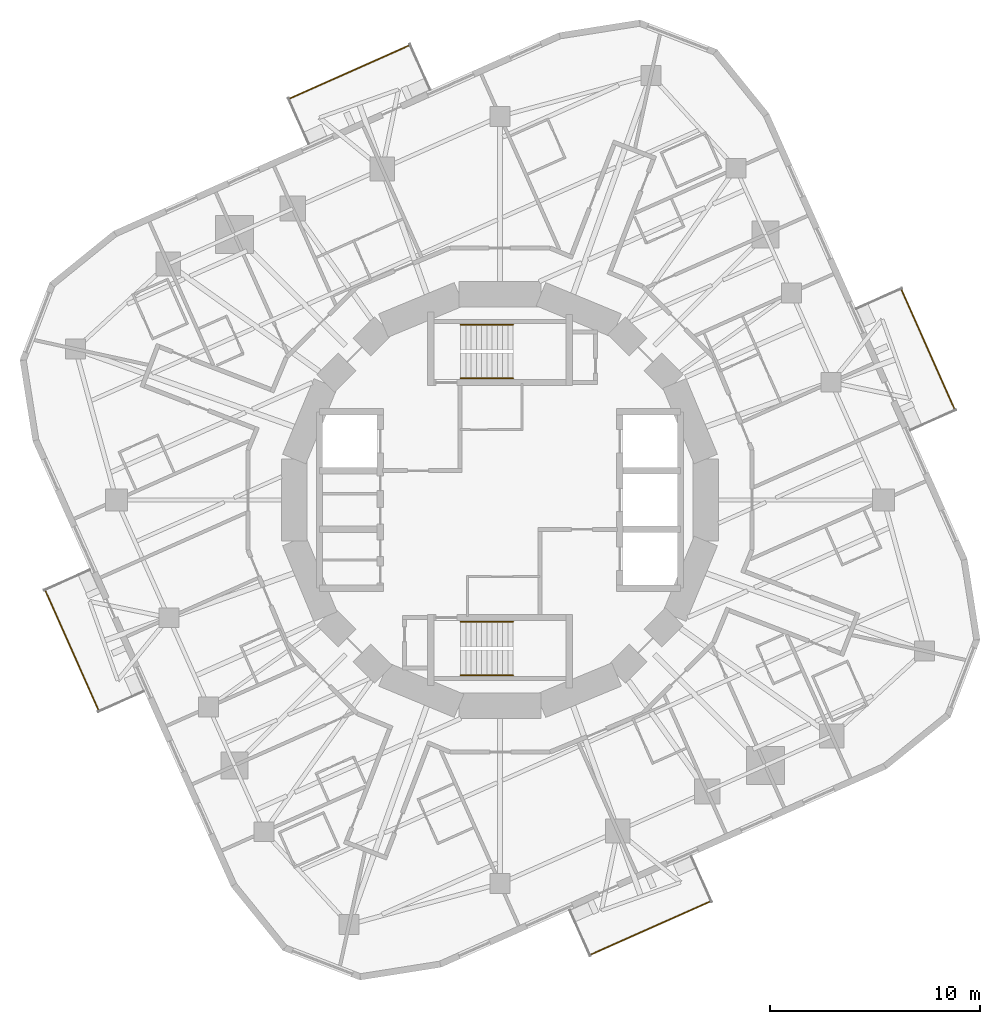
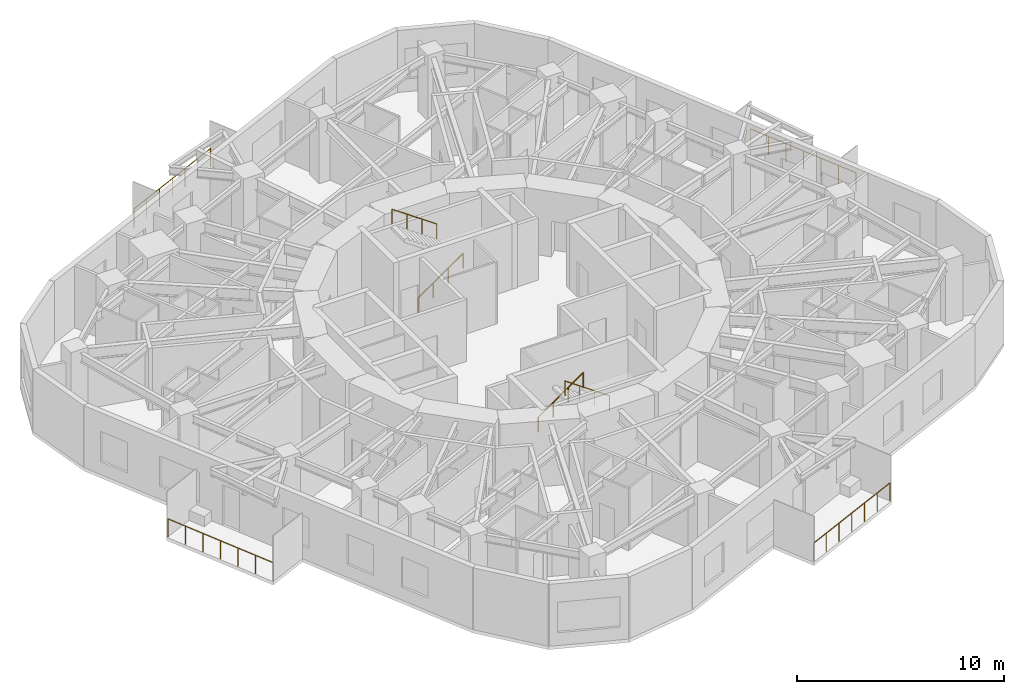
# One storey, part 11 of 12: 8 railings.
"""IFC4 building model written with IfcOpenShell, lengths in metres."""

from ifc_helpers import new_model, si_unit, direction, frame, origin, origin_2d, place, context, subcontext, project, spatial, circle, extrude, material, type_object, element, save


model = new_model("IFC4")

# Units and contexts
model_context = context("Model", 3, precision=1e-05, world=origin(), true_north=direction((0.0, 1.0)))
body_context = subcontext(model_context, "Body", "Model", "MODEL_VIEW")
ifc_project = project(units=[si_unit("LENGTHUNIT", "METRE"), si_unit("AREAUNIT", "SQUARE_METRE"), si_unit("VOLUMEUNIT", "CUBIC_METRE"), si_unit("PLANEANGLEUNIT", "RADIAN"), si_unit("MASSUNIT", "GRAM", prefix="KILO")], contexts=[model_context])

# Site, building, storey
site_placement = place(None, origin())
site = spatial("IfcSite", under=ifc_project, at=site_placement, CompositionType="ELEMENT")
building_placement = place(site_placement, origin())
building = spatial("IfcBuilding", under=site, at=building_placement, Name="Nakasero Lantern House", CompositionType="ELEMENT")
storey_placement = place(building_placement, frame((0.0, 0.0, 201.699951171875)))
storey = spatial("IfcBuildingStorey", under=building, at=storey_placement, Name="L49", CompositionType="ELEMENT", Elevation=201.699951171875)

# Railings
ifc_material_1 = material(Name="Aluminium 6063-T6", Category="aluminium")
railing_type_1 = type_object("IfcRailingType", Name="Balcony guard 1100", PredefinedType="BALUSTRADE", material=ifc_material_1)
railing_1_placement = place(storey_placement, frame((21.67529296875, 4.29931640625, 0.0)))
element("IfcRailing", 1, at=railing_1_placement, inside=storey, type_object=railing_type_1, Name="Balcony guard L49 BAL0", PredefinedType="BALUSTRADE", context=body_context, shape_type="SweptSolid", body=[
    extrude(circle(Radius=0.02392578125, at=origin_2d()), frame((0.0, 0.0, 1.076171875), z_axis=(-0.40676486805, 0.913532890552, 0.0), x_axis=(-0.913532890552, -0.40676486805, 0.0)), (0.0, 0.0, 1.0), 6.291259765625),
    extrude(circle(Radius=0.02099609375, at=origin_2d()), origin(), (0.0, 0.0, 1.0), 1.052001953125),
    extrude(circle(Radius=0.02099609375, at=origin_2d()), frame((-0.426513671875, 0.9580078125, 0.0)), (0.0, 0.0, 1.0), 1.052001953125),
    extrude(circle(Radius=0.02099609375, at=origin_2d()), frame((-0.85302734375, 1.915771484375, 0.0)), (0.0, 0.0, 1.0), 1.052001953125),
    extrude(circle(Radius=0.02099609375, at=origin_2d()), frame((-1.279541015625, 2.87353515625, 0.0)), (0.0, 0.0, 1.0), 1.052001953125),
    extrude(circle(Radius=0.02099609375, at=origin_2d()), frame((-1.7060546875, 3.83154296875, 0.0)), (0.0, 0.0, 1.0), 1.052001953125),
    extrude(circle(Radius=0.02099609375, at=origin_2d()), frame((-2.132568359375, 4.78955078125, 0.0)), (0.0, 0.0, 1.0), 1.052001953125),
    extrude(circle(Radius=0.02099609375, at=origin_2d()), frame((-2.55908203125, 5.747314453125, 0.0)), (0.0, 0.0, 1.0), 1.052001953125),
])
railing_2_placement = place(storey_placement, frame((-4.29931640625, 21.67529296875, 0.0)))
element("IfcRailing", 2, at=railing_2_placement, inside=storey, type_object=railing_type_1, Name="Balcony guard L49 BAL1", PredefinedType="BALUSTRADE", context=body_context, shape_type="SweptSolid", body=[
    extrude(circle(Radius=0.02392578125, at=origin_2d()), frame((0.0, 0.0, 1.076171875), z_axis=(-0.913532890552, -0.40676486805, 0.0), x_axis=(0.40676486805, -0.913532890552, 0.0)), (0.0, 0.0, 1.0), 6.291259765625),
    extrude(circle(Radius=0.02099609375, at=origin_2d()), origin(), (0.0, 0.0, 1.0), 1.052001953125),
    extrude(circle(Radius=0.02099609375, at=origin_2d()), frame((-0.9580078125, -0.426513671875, 0.0)), (0.0, 0.0, 1.0), 1.052001953125),
    extrude(circle(Radius=0.02099609375, at=origin_2d()), frame((-1.915771484375, -0.85302734375, 0.0)), (0.0, 0.0, 1.0), 1.052001953125),
    extrude(circle(Radius=0.02099609375, at=origin_2d()), frame((-2.87353515625, -1.279541015625, 0.0)), (0.0, 0.0, 1.0), 1.052001953125),
    extrude(circle(Radius=0.02099609375, at=origin_2d()), frame((-3.83154296875, -1.7060546875, 0.0)), (0.0, 0.0, 1.0), 1.052001953125),
    extrude(circle(Radius=0.02099609375, at=origin_2d()), frame((-4.78955078125, -2.132568359375, 0.0)), (0.0, 0.0, 1.0), 1.052001953125),
    extrude(circle(Radius=0.02099609375, at=origin_2d()), frame((-5.747314453125, -2.55908203125, 0.0)), (0.0, 0.0, 1.0), 1.052001953125),
])
railing_3_placement = place(storey_placement, frame((-21.67529296875, -4.29931640625, 0.0)))
element("IfcRailing", 3, at=railing_3_placement, inside=storey, type_object=railing_type_1, Name="Balcony guard L49 BAL2", PredefinedType="BALUSTRADE", context=body_context, shape_type="SweptSolid", body=[
    extrude(circle(Radius=0.02392578125, at=origin_2d()), frame((0.0, 0.0, 1.076171875), z_axis=(0.40676486805, -0.913532890552, 0.0), x_axis=(0.913532890552, 0.40676486805, 0.0)), (0.0, 0.0, 1.0), 6.291259765625),
    extrude(circle(Radius=0.02099609375, at=origin_2d()), origin(), (0.0, 0.0, 1.0), 1.052001953125),
    extrude(circle(Radius=0.02099609375, at=origin_2d()), frame((0.426513671875, -0.9580078125, 0.0)), (0.0, 0.0, 1.0), 1.052001953125),
    extrude(circle(Radius=0.02099609375, at=origin_2d()), frame((0.85302734375, -1.915771484375, 0.0)), (0.0, 0.0, 1.0), 1.052001953125),
    extrude(circle(Radius=0.02099609375, at=origin_2d()), frame((1.279541015625, -2.87353515625, 0.0)), (0.0, 0.0, 1.0), 1.052001953125),
    extrude(circle(Radius=0.02099609375, at=origin_2d()), frame((1.7060546875, -3.83154296875, 0.0)), (0.0, 0.0, 1.0), 1.052001953125),
    extrude(circle(Radius=0.02099609375, at=origin_2d()), frame((2.132568359375, -4.78955078125, 0.0)), (0.0, 0.0, 1.0), 1.052001953125),
    extrude(circle(Radius=0.02099609375, at=origin_2d()), frame((2.55908203125, -5.747314453125, 0.0)), (0.0, 0.0, 1.0), 1.052001953125),
])
railing_4_placement = place(storey_placement, frame((4.29931640625, -21.67529296875, 0.0)))
element("IfcRailing", 4, at=railing_4_placement, inside=storey, type_object=railing_type_1, Name="Balcony guard L49 BAL3", PredefinedType="BALUSTRADE", context=body_context, shape_type="SweptSolid", body=[
    extrude(circle(Radius=0.02392578125, at=origin_2d()), frame((0.0, 0.0, 1.076171875), z_axis=(0.913532890552, 0.40676486805, 0.0), x_axis=(-0.40676486805, 0.913532890552, 0.0)), (0.0, 0.0, 1.0), 6.291259765625),
    extrude(circle(Radius=0.02099609375, at=origin_2d()), origin(), (0.0, 0.0, 1.0), 1.052001953125),
    extrude(circle(Radius=0.02099609375, at=origin_2d()), frame((0.9580078125, 0.426513671875, 0.0)), (0.0, 0.0, 1.0), 1.052001953125),
    extrude(circle(Radius=0.02099609375, at=origin_2d()), frame((1.915771484375, 0.85302734375, 0.0)), (0.0, 0.0, 1.0), 1.052001953125),
    extrude(circle(Radius=0.02099609375, at=origin_2d()), frame((2.87353515625, 1.279541015625, 0.0)), (0.0, 0.0, 1.0), 1.052001953125),
    extrude(circle(Radius=0.02099609375, at=origin_2d()), frame((3.83154296875, 1.7060546875, 0.0)), (0.0, 0.0, 1.0), 1.052001953125),
    extrude(circle(Radius=0.02099609375, at=origin_2d()), frame((4.78955078125, 2.132568359375, 0.0)), (0.0, 0.0, 1.0), 1.052001953125),
    extrude(circle(Radius=0.02099609375, at=origin_2d()), frame((5.747314453125, 2.55908203125, 0.0)), (0.0, 0.0, 1.0), 1.052001953125),
])
ifc_material_2 = material(Name="Stainless steel 316", Category="steel")
railing_type_2 = type_object("IfcRailingType", Name="Stair handrail 900", PredefinedType="HANDRAIL", material=ifc_material_2)
railing_5_placement = place(storey_placement, frame((-1.875, 5.800048828125, 0.175048828125)))
element("IfcRailing", 5, at=railing_5_placement, inside=storey, type_object=railing_type_2, Name="Handrail ST1 L49 flight 1", PredefinedType="HANDRAIL", context=body_context, shape_type="SweptSolid", body=[
    extrude(circle(Radius=0.02392578125, at=origin_2d()), frame((0.0, 0.0, 0.8759765625), z_axis=(0.819231920519, 0.0, 0.573462344363), x_axis=(0.0, 1.0, 0.0)), (0.0, 0.0, 1.0), 3.0517578125),
    extrude(circle(Radius=0.02099609375, at=origin_2d()), origin(), (0.0, 0.0, 1.0), 0.851806640625),
    extrude(circle(Radius=0.02099609375, at=origin_2d()), frame((0.833251953125, 0.0, 0.583251953125)), (0.0, 0.0, 1.0), 0.851806640625),
    extrude(circle(Radius=0.02099609375, at=origin_2d()), frame((1.666748046875, 0.0, 1.166748046875)), (0.0, 0.0, 1.0), 0.851806640625),
    extrude(circle(Radius=0.02099609375, at=origin_2d()), frame((2.5, 0.0, 1.75)), (0.0, 0.0, 1.0), 0.851806640625),
])
railing_6_placement = place(storey_placement, frame((0.625, 8.35009765625, 2.10009765625)))
element("IfcRailing", 6, at=railing_6_placement, inside=storey, type_object=railing_type_2, Name="Handrail ST1 L49 flight 2", PredefinedType="HANDRAIL", context=body_context, shape_type="SweptSolid", body=[
    extrude(circle(Radius=0.02392578125, at=origin_2d()), frame((0.0, 0.0, 0.8759765625), z_axis=(-0.819231920519, 0.0, 0.573462344363), x_axis=(0.0, -1.0, 0.0)), (0.0, 0.0, 1.0), 3.0517578125),
    extrude(circle(Radius=0.02099609375, at=origin_2d()), origin(), (0.0, 0.0, 1.0), 0.851806640625),
    extrude(circle(Radius=0.02099609375, at=origin_2d()), frame((-0.833251953125, 0.0, 0.583251953125)), (0.0, 0.0, 1.0), 0.851806640625),
    extrude(circle(Radius=0.02099609375, at=origin_2d()), frame((-1.666748046875, 0.0, 1.166748046875)), (0.0, 0.0, 1.0), 0.851806640625),
    extrude(circle(Radius=0.02099609375, at=origin_2d()), frame((-2.5, 0.0, 1.75)), (0.0, 0.0, 1.0), 0.851806640625),
])
railing_7_placement = place(storey_placement, frame((-1.875, -5.800048828125, 0.175048828125)))
element("IfcRailing", 7, at=railing_7_placement, inside=storey, type_object=railing_type_2, Name="Handrail ST2 L49 flight 1", PredefinedType="HANDRAIL", context=body_context, shape_type="SweptSolid", body=[
    extrude(circle(Radius=0.02392578125, at=origin_2d()), frame((0.0, 0.0, 0.8759765625), z_axis=(0.819231920519, 0.0, 0.573462344363), x_axis=(0.0, 1.0, 0.0)), (0.0, 0.0, 1.0), 3.0517578125),
    extrude(circle(Radius=0.02099609375, at=origin_2d()), origin(), (0.0, 0.0, 1.0), 0.851806640625),
    extrude(circle(Radius=0.02099609375, at=origin_2d()), frame((0.833251953125, 0.0, 0.583251953125)), (0.0, 0.0, 1.0), 0.851806640625),
    extrude(circle(Radius=0.02099609375, at=origin_2d()), frame((1.666748046875, 0.0, 1.166748046875)), (0.0, 0.0, 1.0), 0.851806640625),
    extrude(circle(Radius=0.02099609375, at=origin_2d()), frame((2.5, 0.0, 1.75)), (0.0, 0.0, 1.0), 0.851806640625),
])
railing_8_placement = place(storey_placement, frame((0.625, -8.35009765625, 2.10009765625)))
element("IfcRailing", 8, at=railing_8_placement, inside=storey, type_object=railing_type_2, Name="Handrail ST2 L49 flight 2", PredefinedType="HANDRAIL", context=body_context, shape_type="SweptSolid", body=[
    extrude(circle(Radius=0.02392578125, at=origin_2d()), frame((0.0, 0.0, 0.8759765625), z_axis=(-0.819231920519, 0.0, 0.573462344363), x_axis=(0.0, -1.0, 0.0)), (0.0, 0.0, 1.0), 3.0517578125),
    extrude(circle(Radius=0.02099609375, at=origin_2d()), origin(), (0.0, 0.0, 1.0), 0.851806640625),
    extrude(circle(Radius=0.02099609375, at=origin_2d()), frame((-0.833251953125, 0.0, 0.583251953125)), (0.0, 0.0, 1.0), 0.851806640625),
    extrude(circle(Radius=0.02099609375, at=origin_2d()), frame((-1.666748046875, 0.0, 1.166748046875)), (0.0, 0.0, 1.0), 0.851806640625),
    extrude(circle(Radius=0.02099609375, at=origin_2d()), frame((-2.5, 0.0, 1.75)), (0.0, 0.0, 1.0), 0.851806640625),
])

save(model, "model.ifc")
